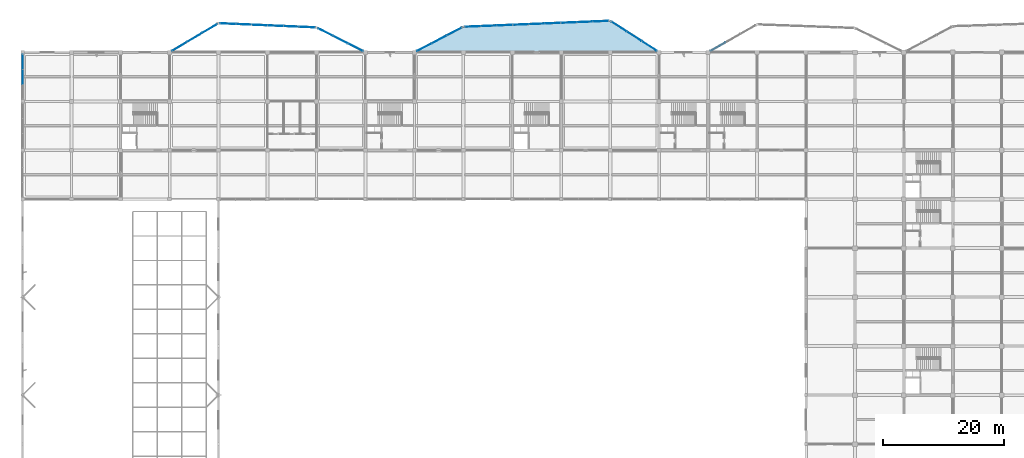
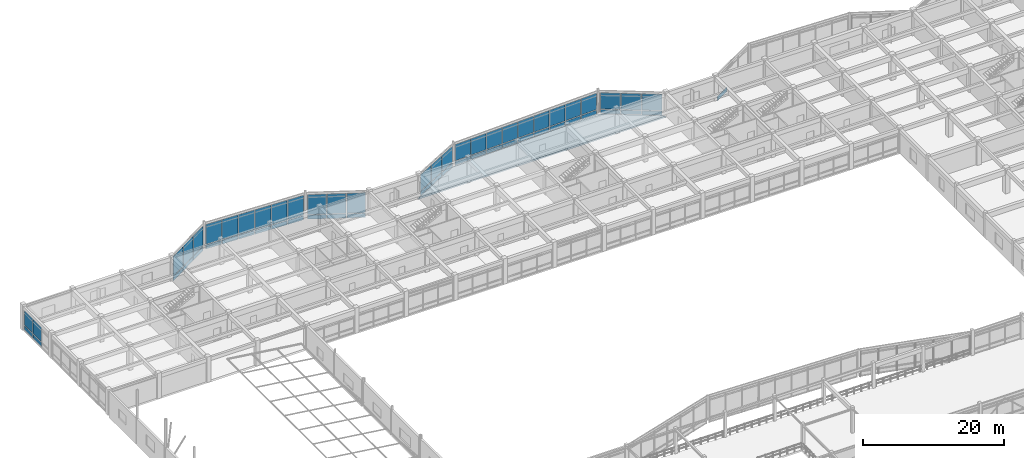
# One storey, part 57 of 89: 59 plates, 1 slab, 11 elements without a shape of their own.
"""IFC4 building model written with IfcOpenShell, lengths in metres."""

from ifc_helpers import new_model, si_unit, direction, frame, origin, origin_2d, place, context, subcontext, project, spatial, polyline, rectangle, outline, extrude, material, layer, layer_set, type_object, element, aggregate, save


model = new_model("IFC4")

# Units and contexts
model_context = context("Model", 3, precision=1e-05, world=origin(), true_north=direction((0.0, 1.0)))
body_context = subcontext(model_context, "Body", "Model", "MODEL_VIEW")
ifc_project = project(units=[si_unit("LENGTHUNIT", "METRE"), si_unit("AREAUNIT", "SQUARE_METRE"), si_unit("VOLUMEUNIT", "CUBIC_METRE"), si_unit("PLANEANGLEUNIT", "RADIAN"), si_unit("MASSUNIT", "GRAM", prefix="KILO")], contexts=[model_context])

# Site, building, storey
site_placement = place(None, origin())
site = spatial("IfcSite", under=ifc_project, at=site_placement, CompositionType="ELEMENT")
building_placement = place(site_placement, origin())
building = spatial("IfcBuilding", under=site, at=building_placement, Name="Vaudrelin Polytechnic", CompositionType="ELEMENT")
storey_placement = place(building_placement, frame((0.0, 0.0, 9.68994140625)))
storey = spatial("IfcBuildingStorey", under=building, at=storey_placement, Name="L02", CompositionType="ELEMENT", Elevation=9.68994140625)

# Curtain wall, plates
ifc_material_1 = material(Name="Thermally broken anodised aluminium AA 6063-T6 and low-e triple glazing", Category="aluminium")
ifc_layer_1 = layer(ifc_material_1, 0.199951171875)
ifc_layer_set_1 = layer_set([ifc_layer_1], Name="Thermally broken anodised aluminium AA 6063-T6 and low-e triple glazing")
curtain_wall_type_1 = type_object("IfcCurtainWallType", Name="CW-CW-LIB", PredefinedType="USERDEFINED", material=ifc_layer_set_1)
curtain_wall_1_placement = place(storey_placement, origin())
curtain_wall_1 = element("IfcCurtainWall", 1, at=curtain_wall_1_placement, inside=storey, type_object=curtain_wall_type_1, Name="Curtain wall L02 W_V5_02", ObjectType="CURTAIN WALL", PredefinedType="USERDEFINED")
ifc_material_2 = material(Name="Insulated ceramic-frit spandrel glass panel", Category="glass")
ifc_layer_2 = layer(ifc_material_2, 0.052001953125)
ifc_layer_set_2 = layer_set([ifc_layer_2], Name="Insulated ceramic-frit spandrel glass panel")
plate_type_1 = type_object("IfcPlateType", Name="PLT-GLZ-SPAND", PredefinedType="CURTAIN_PANEL", material=ifc_layer_set_2)
plate_1_placement = place(storey_placement, frame((0.0, 117.449951171875, 0.08984375), z_axis=(0.0, 0.0, 1.0), x_axis=(0.0, 1.0, 0.0)))
plate_1 = element("IfcPlate", 2, at=plate_1_placement, type_object=plate_type_1, Name="W_V5_02 spandrel panel 2", PredefinedType="CURTAIN_PANEL", context=body_context, shape_type="SweptSolid", body=[
    extrude(rectangle(XDim=2.384765625, YDim=0.052001953125, at=origin_2d()), origin(), (0.0, 0.0, 1.0), 0.699951171875),
])
plate_2_placement = place(storey_placement, frame((0.0, 119.934814453125, 0.08984375), z_axis=(0.0, 0.0, 1.0), x_axis=(0.0, 1.0, 0.0)))
plate_2 = element("IfcPlate", 3, at=plate_2_placement, type_object=plate_type_1, Name="W_V5_02 spandrel panel 3", PredefinedType="CURTAIN_PANEL", context=body_context, shape_type="SweptSolid", body=[
    extrude(rectangle(XDim=2.384765625, YDim=0.052001953125, at=origin_2d()), origin(), (0.0, 0.0, 1.0), 0.699951171875),
])

ifc_layer_3 = layer(ifc_material_1, 0.199951171875)
ifc_layer_set_3 = layer_set([ifc_layer_3], Name="Thermally broken anodised aluminium AA 6063-T6 and low-e triple glazing")
curtain_wall_type_2 = type_object("IfcCurtainWallType", Name="CW-CW-STU", PredefinedType="USERDEFINED", material=ifc_layer_set_3)
curtain_wall_2_placement = place(storey_placement, origin())
curtain_wall_2 = element("IfcCurtainWall", 4, at=curtain_wall_2_placement, inside=storey, type_object=curtain_wall_type_2, Name="Curtain wall L02 N_OR1_1_0", ObjectType="CURTAIN WALL", PredefinedType="USERDEFINED")
plate_3_placement = place(storey_placement, frame((25.944091796875, 122.474365234375, -0.5400390625), z_axis=(0.0, 0.0, 1.0), x_axis=(0.860291533635, 0.509802390301, 0.0)))
plate_3 = element("IfcPlate", 5, at=plate_3_placement, type_object=plate_type_1, Name="N_OR1_1_0 spandrel panel 1", PredefinedType="CURTAIN_PANEL", context=body_context, shape_type="SweptSolid", body=[
    extrude(rectangle(XDim=2.796875, YDim=0.052001953125, at=origin_2d()), origin(), (0.0, 0.0, 1.0), 0.699951171875),
])
plate_4_placement = place(storey_placement, frame((28.436279296875, 123.951171875, -0.5400390625), z_axis=(0.0, 0.0, 1.0), x_axis=(0.860291533635, 0.509802390301, 0.0)))
plate_4 = element("IfcPlate", 6, at=plate_4_placement, type_object=plate_type_1, Name="N_OR1_1_0 spandrel panel 2", PredefinedType="CURTAIN_PANEL", context=body_context, shape_type="SweptSolid", body=[
    extrude(rectangle(XDim=2.796875, YDim=0.052001953125, at=origin_2d()), origin(), (0.0, 0.0, 1.0), 0.699951171875),
])
plate_5_placement = place(storey_placement, frame((30.92822265625, 125.427978515625, -0.5400390625), z_axis=(0.0, 0.0, 1.0), x_axis=(0.860291533635, 0.509802390301, 0.0)))
plate_5 = element("IfcPlate", 7, at=plate_5_placement, type_object=plate_type_1, Name="N_OR1_1_0 spandrel panel 3", PredefinedType="CURTAIN_PANEL", context=body_context, shape_type="SweptSolid", body=[
    extrude(rectangle(XDim=2.796875, YDim=0.052001953125, at=origin_2d()), origin(), (0.0, 0.0, 1.0), 0.699951171875),
])

curtain_wall_3_placement = place(storey_placement, origin())
curtain_wall_3 = element("IfcCurtainWall", 8, at=curtain_wall_3_placement, inside=storey, type_object=curtain_wall_type_2, Name="Curtain wall L02 N_OR1_2_0", ObjectType="CURTAIN WALL", PredefinedType="USERDEFINED")
plate_6_placement = place(storey_placement, frame((33.94775390625, 126.233154296875, -0.5400390625), z_axis=(0.0, 0.0, 1.0), x_axis=(0.99906798854, -0.043164270821, 0.0)))
plate_6 = element("IfcPlate", 9, at=plate_6_placement, type_object=plate_type_1, Name="N_OR1_2_0 spandrel panel 1", PredefinedType="CURTAIN_PANEL", context=body_context, shape_type="SweptSolid", body=[
    extrude(rectangle(XDim=2.523193359375, YDim=0.052001953125, at=origin_2d()), origin(), (0.0, 0.0, 1.0), 0.699951171875),
])
plate_7_placement = place(storey_placement, frame((36.568603515625, 126.119873046875, -0.5400390625), z_axis=(0.0, 0.0, 1.0), x_axis=(0.99906798854, -0.043164270821, 0.0)))
plate_7 = element("IfcPlate", 10, at=plate_7_placement, type_object=plate_type_1, Name="N_OR1_2_0 spandrel panel 2", PredefinedType="CURTAIN_PANEL", context=body_context, shape_type="SweptSolid", body=[
    extrude(rectangle(XDim=2.523193359375, YDim=0.052001953125, at=origin_2d()), origin(), (0.0, 0.0, 1.0), 0.699951171875),
])
plate_8_placement = place(storey_placement, frame((39.189697265625, 126.006591796875, -0.5400390625), z_axis=(0.0, 0.0, 1.0), x_axis=(0.99906798854, -0.043164270821, 0.0)))
plate_8 = element("IfcPlate", 11, at=plate_8_placement, type_object=plate_type_1, Name="N_OR1_2_0 spandrel panel 3", PredefinedType="CURTAIN_PANEL", context=body_context, shape_type="SweptSolid", body=[
    extrude(rectangle(XDim=2.523193359375, YDim=0.052001953125, at=origin_2d()), origin(), (0.0, 0.0, 1.0), 0.699951171875),
])

curtain_wall_4_placement = place(storey_placement, origin())
curtain_wall_4 = element("IfcCurtainWall", 12, at=curtain_wall_4_placement, inside=storey, type_object=curtain_wall_type_2, Name="Curtain wall L02 N_OR1_2_1", ObjectType="CURTAIN WALL", PredefinedType="USERDEFINED")
plate_9_placement = place(storey_placement, frame((41.810302734375, 125.893310546875, -0.5400390625), z_axis=(0.0, 0.0, 1.0), x_axis=(0.99906798854, -0.043164270821, 0.0)))
plate_9 = element("IfcPlate", 13, at=plate_9_placement, type_object=plate_type_1, Name="N_OR1_2_1 spandrel panel 1", PredefinedType="CURTAIN_PANEL", context=body_context, shape_type="SweptSolid", body=[
    extrude(rectangle(XDim=2.523193359375, YDim=0.052001953125, at=origin_2d()), origin(), (0.0, 0.0, 1.0), 0.699951171875),
])
plate_10_placement = place(storey_placement, frame((44.431396484375, 125.780029296875, -0.5400390625), z_axis=(0.0, 0.0, 1.0), x_axis=(0.99906798854, -0.043164270821, 0.0)))
plate_10 = element("IfcPlate", 14, at=plate_10_placement, type_object=plate_type_1, Name="N_OR1_2_1 spandrel panel 2", PredefinedType="CURTAIN_PANEL", context=body_context, shape_type="SweptSolid", body=[
    extrude(rectangle(XDim=2.523193359375, YDim=0.052001953125, at=origin_2d()), origin(), (0.0, 0.0, 1.0), 0.699951171875),
])
plate_11_placement = place(storey_placement, frame((47.05224609375, 125.6669921875, -0.5400390625), z_axis=(0.0, 0.0, 1.0), x_axis=(0.99906798854, -0.043164270821, 0.0)))
plate_11 = element("IfcPlate", 15, at=plate_11_placement, type_object=plate_type_1, Name="N_OR1_2_1 spandrel panel 3", PredefinedType="CURTAIN_PANEL", context=body_context, shape_type="SweptSolid", body=[
    extrude(rectangle(XDim=2.523193359375, YDim=0.052001953125, at=origin_2d()), origin(), (0.0, 0.0, 1.0), 0.699951171875),
])

curtain_wall_5_placement = place(storey_placement, origin())
curtain_wall_5 = element("IfcCurtainWall", 16, at=curtain_wall_5_placement, inside=storey, type_object=curtain_wall_type_2, Name="Curtain wall L02 N_OR1_3_0", ObjectType="CURTAIN WALL", PredefinedType="USERDEFINED")
plate_12_placement = place(storey_placement, frame((50.073486328125, 124.85400390625, -0.5400390625), z_axis=(0.0, 0.0, 1.0), x_axis=(0.892216550993, -0.451607823375, 0.0)))
plate_12 = element("IfcPlate", 17, at=plate_12_placement, type_object=plate_type_1, Name="N_OR1_3_0 spandrel panel 1", PredefinedType="CURTAIN_PANEL", context=body_context, shape_type="SweptSolid", body=[
    extrude(rectangle(XDim=2.691162109375, YDim=0.052001953125, at=origin_2d()), origin(), (0.0, 0.0, 1.0), 0.699951171875),
])
plate_13_placement = place(storey_placement, frame((52.563720703125, 123.593505859375, -0.5400390625), z_axis=(0.0, 0.0, 1.0), x_axis=(0.892216550993, -0.451607823375, 0.0)))
plate_13 = element("IfcPlate", 18, at=plate_13_placement, type_object=plate_type_1, Name="N_OR1_3_0 spandrel panel 2", PredefinedType="CURTAIN_PANEL", context=body_context, shape_type="SweptSolid", body=[
    extrude(rectangle(XDim=2.691162109375, YDim=0.052001953125, at=origin_2d()), origin(), (0.0, 0.0, 1.0), 0.699951171875),
])
plate_14_placement = place(storey_placement, frame((55.053955078125, 122.333251953125, -0.5400390625), z_axis=(0.0, 0.0, 1.0), x_axis=(0.892216550993, -0.451607823375, 0.0)))
plate_14 = element("IfcPlate", 19, at=plate_14_placement, type_object=plate_type_1, Name="N_OR1_3_0 spandrel panel 3", PredefinedType="CURTAIN_PANEL", context=body_context, shape_type="SweptSolid", body=[
    extrude(rectangle(XDim=2.691162109375, YDim=0.052001953125, at=origin_2d()), origin(), (0.0, 0.0, 1.0), 0.699951171875),
])

curtain_wall_6_placement = place(storey_placement, origin())
curtain_wall_6 = element("IfcCurtainWall", 20, at=curtain_wall_6_placement, inside=storey, type_object=curtain_wall_type_2, Name="Curtain wall L02 N_OR2_1_0", ObjectType="CURTAIN WALL", PredefinedType="USERDEFINED")
plate_15_placement = place(storey_placement, frame((66.44580078125, 122.353271484375, 0.08984375), z_axis=(0.0, 0.0, 1.0), x_axis=(0.88775021542, 0.460325488129, 0.0)))
plate_15 = element("IfcPlate", 21, at=plate_15_placement, type_object=plate_type_1, Name="N_OR2_1_0 spandrel panel 1", PredefinedType="CURTAIN_PANEL", context=body_context, shape_type="SweptSolid", body=[
    extrude(rectangle(XDim=2.705322265625, YDim=0.052001953125, at=origin_2d()), origin(), (0.0, 0.0, 1.0), 0.699951171875),
])
plate_16_placement = place(storey_placement, frame((68.936279296875, 123.644775390625, 0.08984375), z_axis=(0.0, 0.0, 1.0), x_axis=(0.88775021542, 0.460325488129, 0.0)))
plate_16 = element("IfcPlate", 22, at=plate_16_placement, type_object=plate_type_1, Name="N_OR2_1_0 spandrel panel 2", PredefinedType="CURTAIN_PANEL", context=body_context, shape_type="SweptSolid", body=[
    extrude(rectangle(XDim=2.705322265625, YDim=0.052001953125, at=origin_2d()), origin(), (0.0, 0.0, 1.0), 0.699951171875),
])
plate_17_placement = place(storey_placement, frame((71.4267578125, 124.93603515625, 0.08984375), z_axis=(0.0, 0.0, 1.0), x_axis=(0.88775021542, 0.460325488129, 0.0)))
plate_17 = element("IfcPlate", 23, at=plate_17_placement, type_object=plate_type_1, Name="N_OR2_1_0 spandrel panel 3", PredefinedType="CURTAIN_PANEL", context=body_context, shape_type="SweptSolid", body=[
    extrude(rectangle(XDim=2.705322265625, YDim=0.052001953125, at=origin_2d()), origin(), (0.0, 0.0, 1.0), 0.699951171875),
])

curtain_wall_7_placement = place(storey_placement, origin())
curtain_wall_7 = element("IfcCurtainWall", 24, at=curtain_wall_7_placement, inside=storey, type_object=curtain_wall_type_2, Name="Curtain wall L02 N_OR2_2_0", ObjectType="CURTAIN WALL", PredefinedType="USERDEFINED")
plate_18_placement = place(storey_placement, frame((74.4609375, 125.764404296875, 0.08984375), z_axis=(0.0, 0.0, 1.0), x_axis=(0.999154417424, 0.041115084128, 0.0)))
plate_18 = element("IfcPlate", 25, at=plate_18_placement, type_object=plate_type_1, Name="N_OR2_2_0 spandrel panel 1", PredefinedType="CURTAIN_PANEL", context=body_context, shape_type="SweptSolid", body=[
    extrude(rectangle(XDim=2.549560546875, YDim=0.052001953125, at=origin_2d()), origin(), (0.0, 0.0, 1.0), 0.699951171875),
])
plate_19_placement = place(storey_placement, frame((77.108154296875, 125.873291015625, 0.08984375), z_axis=(0.0, 0.0, 1.0), x_axis=(0.999154417424, 0.041115084128, 0.0)))
plate_19 = element("IfcPlate", 26, at=plate_19_placement, type_object=plate_type_1, Name="N_OR2_2_0 spandrel panel 2", PredefinedType="CURTAIN_PANEL", context=body_context, shape_type="SweptSolid", body=[
    extrude(rectangle(XDim=2.549560546875, YDim=0.052001953125, at=origin_2d()), origin(), (0.0, 0.0, 1.0), 0.699951171875),
])
plate_20_placement = place(storey_placement, frame((79.755615234375, 125.982177734375, 0.08984375), z_axis=(0.0, 0.0, 1.0), x_axis=(0.999154417424, 0.041115084128, 0.0)))
plate_20 = element("IfcPlate", 27, at=plate_20_placement, type_object=plate_type_1, Name="N_OR2_2_0 spandrel panel 3", PredefinedType="CURTAIN_PANEL", context=body_context, shape_type="SweptSolid", body=[
    extrude(rectangle(XDim=2.549560546875, YDim=0.052001953125, at=origin_2d()), origin(), (0.0, 0.0, 1.0), 0.699951171875),
])

curtain_wall_8_placement = place(storey_placement, origin())
curtain_wall_8 = element("IfcCurtainWall", 28, at=curtain_wall_8_placement, inside=storey, type_object=curtain_wall_type_2, Name="Curtain wall L02 N_OR2_2_1", ObjectType="CURTAIN WALL", PredefinedType="USERDEFINED")
plate_21_placement = place(storey_placement, frame((82.402587890625, 126.091064453125, 0.08984375), z_axis=(0.0, 0.0, 1.0), x_axis=(0.999154438691, 0.041114567302, 0.0)))
plate_21 = element("IfcPlate", 29, at=plate_21_placement, type_object=plate_type_1, Name="N_OR2_2_1 spandrel panel 1", PredefinedType="CURTAIN_PANEL", context=body_context, shape_type="SweptSolid", body=[
    extrude(rectangle(XDim=2.549560546875, YDim=0.052001953125, at=origin_2d()), origin(), (0.0, 0.0, 1.0), 0.699951171875),
])
plate_22_placement = place(storey_placement, frame((85.050048828125, 126.199951171875, 0.08984375), z_axis=(0.0, 0.0, 1.0), x_axis=(0.999154438691, 0.041114567302, 0.0)))
plate_22 = element("IfcPlate", 30, at=plate_22_placement, type_object=plate_type_1, Name="N_OR2_2_1 spandrel panel 2", PredefinedType="CURTAIN_PANEL", context=body_context, shape_type="SweptSolid", body=[
    extrude(rectangle(XDim=2.549560546875, YDim=0.052001953125, at=origin_2d()), origin(), (0.0, 0.0, 1.0), 0.699951171875),
])
plate_23_placement = place(storey_placement, frame((87.697265625, 126.308837890625, 0.08984375), z_axis=(0.0, 0.0, 1.0), x_axis=(0.999154438691, 0.041114567302, 0.0)))
plate_23 = element("IfcPlate", 31, at=plate_23_placement, type_object=plate_type_1, Name="N_OR2_2_1 spandrel panel 3", PredefinedType="CURTAIN_PANEL", context=body_context, shape_type="SweptSolid", body=[
    extrude(rectangle(XDim=2.549560546875, YDim=0.052001953125, at=origin_2d()), origin(), (0.0, 0.0, 1.0), 0.699951171875),
])

curtain_wall_9_placement = place(storey_placement, origin())
curtain_wall_9 = element("IfcCurtainWall", 32, at=curtain_wall_9_placement, inside=storey, type_object=curtain_wall_type_2, Name="Curtain wall L02 N_OR2_2_2", ObjectType="CURTAIN WALL", PredefinedType="USERDEFINED")
plate_24_placement = place(storey_placement, frame((90.344482421875, 126.41796875, 0.08984375), z_axis=(0.0, 0.0, 1.0), x_axis=(0.999154417424, 0.041115084128, 0.0)))
plate_24 = element("IfcPlate", 33, at=plate_24_placement, type_object=plate_type_1, Name="N_OR2_2_2 spandrel panel 1", PredefinedType="CURTAIN_PANEL", context=body_context, shape_type="SweptSolid", body=[
    extrude(rectangle(XDim=2.549560546875, YDim=0.052001953125, at=origin_2d()), origin(), (0.0, 0.0, 1.0), 0.699951171875),
])
plate_25_placement = place(storey_placement, frame((92.99169921875, 126.52685546875, 0.08984375), z_axis=(0.0, 0.0, 1.0), x_axis=(0.999154417424, 0.041115084128, 0.0)))
plate_25 = element("IfcPlate", 34, at=plate_25_placement, type_object=plate_type_1, Name="N_OR2_2_2 spandrel panel 2", PredefinedType="CURTAIN_PANEL", context=body_context, shape_type="SweptSolid", body=[
    extrude(rectangle(XDim=2.549560546875, YDim=0.052001953125, at=origin_2d()), origin(), (0.0, 0.0, 1.0), 0.699951171875),
])
plate_26_placement = place(storey_placement, frame((95.638916015625, 126.6357421875, 0.08984375), z_axis=(0.0, 0.0, 1.0), x_axis=(0.999154417424, 0.041115084128, 0.0)))
plate_26 = element("IfcPlate", 35, at=plate_26_placement, type_object=plate_type_1, Name="N_OR2_2_2 spandrel panel 3", PredefinedType="CURTAIN_PANEL", context=body_context, shape_type="SweptSolid", body=[
    extrude(rectangle(XDim=2.549560546875, YDim=0.052001953125, at=origin_2d()), origin(), (0.0, 0.0, 1.0), 0.699951171875),
])

curtain_wall_10_placement = place(storey_placement, origin())
curtain_wall_10 = element("IfcCurtainWall", 36, at=curtain_wall_10_placement, inside=storey, type_object=curtain_wall_type_2, Name="Curtain wall L02 N_OR2_3_0", ObjectType="CURTAIN WALL", PredefinedType="USERDEFINED")
plate_27_placement = place(storey_placement, frame((98.670654296875, 125.755859375, 0.08984375), z_axis=(0.0, 0.0, 1.0), x_axis=(0.841518641414, -0.540228077901, 0.0)))
plate_27 = element("IfcPlate", 37, at=plate_27_placement, type_object=plate_type_1, Name="N_OR2_3_0 spandrel panel 1", PredefinedType="CURTAIN_PANEL", context=body_context, shape_type="SweptSolid", body=[
    extrude(rectangle(XDim=2.86279296875, YDim=0.052001953125, at=origin_2d()), origin(), (0.0, 0.0, 1.0), 0.699951171875),
])
plate_28_placement = place(storey_placement, frame((101.163818359375, 124.155517578125, 0.08984375), z_axis=(0.0, 0.0, 1.0), x_axis=(0.841518641414, -0.540228077901, 0.0)))
plate_28 = element("IfcPlate", 38, at=plate_28_placement, type_object=plate_type_1, Name="N_OR2_3_0 spandrel panel 2", PredefinedType="CURTAIN_PANEL", context=body_context, shape_type="SweptSolid", body=[
    extrude(rectangle(XDim=2.86279296875, YDim=0.052001953125, at=origin_2d()), origin(), (0.0, 0.0, 1.0), 0.699951171875),
])
plate_29_placement = place(storey_placement, frame((103.656982421875, 122.554931640625, 0.08984375), z_axis=(0.0, 0.0, 1.0), x_axis=(0.841518641414, -0.540228077901, 0.0)))
plate_29 = element("IfcPlate", 39, at=plate_29_placement, type_object=plate_type_1, Name="N_OR2_3_0 spandrel panel 3", PredefinedType="CURTAIN_PANEL", context=body_context, shape_type="SweptSolid", body=[
    extrude(rectangle(XDim=2.86279296875, YDim=0.052001953125, at=origin_2d()), origin(), (0.0, 0.0, 1.0), 0.699951171875),
])

# Curtain wall, plate
curtain_wall_11_placement = place(storey_placement, origin())
curtain_wall_11 = element("IfcCurtainWall", 40, at=curtain_wall_11_placement, inside=storey, type_object=curtain_wall_type_2, Name="Curtain wall L02 N_OR3_1_0", ObjectType="CURTAIN WALL", PredefinedType="USERDEFINED")
plate_30_placement = place(storey_placement, frame((115.044677734375, 122.43408203125, -0.5400390625), z_axis=(0.0, 0.0, 1.0), x_axis=(0.869560902345, 0.493825715322, 0.0)))
plate_30 = element("IfcPlate", 41, at=plate_30_placement, type_object=plate_type_1, Name="N_OR3_1_0 spandrel panel 1", PredefinedType="CURTAIN_PANEL", context=body_context, shape_type="SweptSolid", body=[
    extrude(rectangle(XDim=2.765380859375, YDim=0.052001953125, at=origin_2d()), origin(), (0.0, 0.0, 1.0), 0.699951171875),
])
aggregate(curtain_wall_11, [plate_30])

# Plate
ifc_material_3 = material(Name="Triple low-e argon insulated glazing unit", Category="glass")
ifc_layer_4 = layer(ifc_material_3, 0.0439453125)
ifc_layer_set_4 = layer_set([ifc_layer_4], Name="Triple low-e argon insulated glazing unit")
plate_type_2 = type_object("IfcPlateType", Name="PLT-GLZ-TRIPLE", PredefinedType="CURTAIN_PANEL", material=ifc_layer_set_4)
plate_31_placement = place(storey_placement, frame((0.0, 117.449951171875, 0.900146484375), z_axis=(0.0, 0.0, 1.0), x_axis=(0.0, 1.0, 0.0)))
plate_31 = element("IfcPlate", 42, at=plate_31_placement, type_object=plate_type_2, Name="W_V5_02 vision panel 2", PredefinedType="CURTAIN_PANEL", context=body_context, shape_type="SweptSolid", body=[
    extrude(rectangle(XDim=2.384765625, YDim=0.0439453125, at=origin_2d()), origin(), (0.0, 0.0, 1.0), 2.48193359375),
])

plate_32_placement = place(storey_placement, frame((0.0, 119.934814453125, 0.900146484375), z_axis=(0.0, 0.0, 1.0), x_axis=(0.0, 1.0, 0.0)))
plate_32 = element("IfcPlate", 43, at=plate_32_placement, type_object=plate_type_2, Name="W_V5_02 vision panel 3", PredefinedType="CURTAIN_PANEL", context=body_context, shape_type="SweptSolid", body=[
    extrude(rectangle(XDim=2.384765625, YDim=0.0439453125, at=origin_2d()), origin(), (0.0, 0.0, 1.0), 2.48193359375),
])

aggregate(curtain_wall_1, [plate_1, plate_31, plate_2, plate_32])

plate_33_placement = place(storey_placement, frame((25.944091796875, 122.474365234375, 0.27001953125), z_axis=(0.0, 0.0, 1.0), x_axis=(0.860291533635, 0.509802390301, 0.0)))
plate_33 = element("IfcPlate", 44, at=plate_33_placement, type_object=plate_type_2, Name="N_OR1_1_0 vision panel 1", PredefinedType="CURTAIN_PANEL", context=body_context, shape_type="SweptSolid", body=[
    extrude(rectangle(XDim=2.796875, YDim=0.0439453125, at=origin_2d()), origin(), (0.0, 0.0, 1.0), 3.43994140625),
])

plate_34_placement = place(storey_placement, frame((28.436279296875, 123.951171875, 0.27001953125), z_axis=(0.0, 0.0, 1.0), x_axis=(0.860291533635, 0.509802390301, 0.0)))
plate_34 = element("IfcPlate", 45, at=plate_34_placement, type_object=plate_type_2, Name="N_OR1_1_0 vision panel 2", PredefinedType="CURTAIN_PANEL", context=body_context, shape_type="SweptSolid", body=[
    extrude(rectangle(XDim=2.796875, YDim=0.0439453125, at=origin_2d()), origin(), (0.0, 0.0, 1.0), 3.43994140625),
])

plate_35_placement = place(storey_placement, frame((30.92822265625, 125.427978515625, 0.27001953125), z_axis=(0.0, 0.0, 1.0), x_axis=(0.860291533635, 0.509802390301, 0.0)))
plate_35 = element("IfcPlate", 46, at=plate_35_placement, type_object=plate_type_2, Name="N_OR1_1_0 vision panel 3", PredefinedType="CURTAIN_PANEL", context=body_context, shape_type="SweptSolid", body=[
    extrude(rectangle(XDim=2.796875, YDim=0.0439453125, at=origin_2d()), origin(), (0.0, 0.0, 1.0), 3.43994140625),
])

aggregate(curtain_wall_2, [plate_3, plate_33, plate_4, plate_34, plate_5, plate_35])

plate_36_placement = place(storey_placement, frame((33.94775390625, 126.233154296875, 0.27001953125), z_axis=(0.0, 0.0, 1.0), x_axis=(0.99906798854, -0.043164270821, 0.0)))
plate_36 = element("IfcPlate", 47, at=plate_36_placement, type_object=plate_type_2, Name="N_OR1_2_0 vision panel 1", PredefinedType="CURTAIN_PANEL", context=body_context, shape_type="SweptSolid", body=[
    extrude(rectangle(XDim=2.523193359375, YDim=0.0439453125, at=origin_2d()), origin(), (0.0, 0.0, 1.0), 3.43994140625),
])

plate_37_placement = place(storey_placement, frame((36.568603515625, 126.119873046875, 0.27001953125), z_axis=(0.0, 0.0, 1.0), x_axis=(0.99906798854, -0.043164270821, 0.0)))
plate_37 = element("IfcPlate", 48, at=plate_37_placement, type_object=plate_type_2, Name="N_OR1_2_0 vision panel 2", PredefinedType="CURTAIN_PANEL", context=body_context, shape_type="SweptSolid", body=[
    extrude(rectangle(XDim=2.523193359375, YDim=0.0439453125, at=origin_2d()), origin(), (0.0, 0.0, 1.0), 3.43994140625),
])

plate_38_placement = place(storey_placement, frame((39.189697265625, 126.006591796875, 0.27001953125), z_axis=(0.0, 0.0, 1.0), x_axis=(0.99906798854, -0.043164270821, 0.0)))
plate_38 = element("IfcPlate", 49, at=plate_38_placement, type_object=plate_type_2, Name="N_OR1_2_0 vision panel 3", PredefinedType="CURTAIN_PANEL", context=body_context, shape_type="SweptSolid", body=[
    extrude(rectangle(XDim=2.523193359375, YDim=0.0439453125, at=origin_2d()), origin(), (0.0, 0.0, 1.0), 3.43994140625),
])

aggregate(curtain_wall_3, [plate_6, plate_36, plate_7, plate_37, plate_8, plate_38])

plate_39_placement = place(storey_placement, frame((41.810302734375, 125.893310546875, 0.27001953125), z_axis=(0.0, 0.0, 1.0), x_axis=(0.99906798854, -0.043164270821, 0.0)))
plate_39 = element("IfcPlate", 50, at=plate_39_placement, type_object=plate_type_2, Name="N_OR1_2_1 vision panel 1", PredefinedType="CURTAIN_PANEL", context=body_context, shape_type="SweptSolid", body=[
    extrude(rectangle(XDim=2.523193359375, YDim=0.0439453125, at=origin_2d()), origin(), (0.0, 0.0, 1.0), 3.43994140625),
])

plate_40_placement = place(storey_placement, frame((44.431396484375, 125.780029296875, 0.27001953125), z_axis=(0.0, 0.0, 1.0), x_axis=(0.99906798854, -0.043164270821, 0.0)))
plate_40 = element("IfcPlate", 51, at=plate_40_placement, type_object=plate_type_2, Name="N_OR1_2_1 vision panel 2", PredefinedType="CURTAIN_PANEL", context=body_context, shape_type="SweptSolid", body=[
    extrude(rectangle(XDim=2.523193359375, YDim=0.0439453125, at=origin_2d()), origin(), (0.0, 0.0, 1.0), 3.43994140625),
])

plate_41_placement = place(storey_placement, frame((47.05224609375, 125.6669921875, 0.27001953125), z_axis=(0.0, 0.0, 1.0), x_axis=(0.99906798854, -0.043164270821, 0.0)))
plate_41 = element("IfcPlate", 52, at=plate_41_placement, type_object=plate_type_2, Name="N_OR1_2_1 vision panel 3", PredefinedType="CURTAIN_PANEL", context=body_context, shape_type="SweptSolid", body=[
    extrude(rectangle(XDim=2.523193359375, YDim=0.0439453125, at=origin_2d()), origin(), (0.0, 0.0, 1.0), 3.43994140625),
])

aggregate(curtain_wall_4, [plate_9, plate_39, plate_10, plate_40, plate_11, plate_41])

plate_42_placement = place(storey_placement, frame((50.073486328125, 124.85400390625, 0.27001953125), z_axis=(0.0, 0.0, 1.0), x_axis=(0.892216550993, -0.451607823375, 0.0)))
plate_42 = element("IfcPlate", 53, at=plate_42_placement, type_object=plate_type_2, Name="N_OR1_3_0 vision panel 1", PredefinedType="CURTAIN_PANEL", context=body_context, shape_type="SweptSolid", body=[
    extrude(rectangle(XDim=2.691162109375, YDim=0.0439453125, at=origin_2d()), origin(), (0.0, 0.0, 1.0), 3.43994140625),
])

plate_43_placement = place(storey_placement, frame((52.563720703125, 123.593505859375, 0.27001953125), z_axis=(0.0, 0.0, 1.0), x_axis=(0.892216550993, -0.451607823375, 0.0)))
plate_43 = element("IfcPlate", 54, at=plate_43_placement, type_object=plate_type_2, Name="N_OR1_3_0 vision panel 2", PredefinedType="CURTAIN_PANEL", context=body_context, shape_type="SweptSolid", body=[
    extrude(rectangle(XDim=2.691162109375, YDim=0.0439453125, at=origin_2d()), origin(), (0.0, 0.0, 1.0), 3.43994140625),
])

plate_44_placement = place(storey_placement, frame((55.053955078125, 122.333251953125, 0.27001953125), z_axis=(0.0, 0.0, 1.0), x_axis=(0.892216550993, -0.451607823375, 0.0)))
plate_44 = element("IfcPlate", 55, at=plate_44_placement, type_object=plate_type_2, Name="N_OR1_3_0 vision panel 3", PredefinedType="CURTAIN_PANEL", context=body_context, shape_type="SweptSolid", body=[
    extrude(rectangle(XDim=2.691162109375, YDim=0.0439453125, at=origin_2d()), origin(), (0.0, 0.0, 1.0), 3.43994140625),
])

aggregate(curtain_wall_5, [plate_12, plate_42, plate_13, plate_43, plate_14, plate_44])

plate_45_placement = place(storey_placement, frame((66.44580078125, 122.353271484375, 0.900146484375), z_axis=(0.0, 0.0, 1.0), x_axis=(0.88775021542, 0.460325488129, 0.0)))
plate_45 = element("IfcPlate", 56, at=plate_45_placement, type_object=plate_type_2, Name="N_OR2_1_0 vision panel 1", PredefinedType="CURTAIN_PANEL", context=body_context, shape_type="SweptSolid", body=[
    extrude(rectangle(XDim=2.705322265625, YDim=0.0439453125, at=origin_2d()), origin(), (0.0, 0.0, 1.0), 2.81005859375),
])

plate_46_placement = place(storey_placement, frame((68.936279296875, 123.644775390625, 0.900146484375), z_axis=(0.0, 0.0, 1.0), x_axis=(0.88775021542, 0.460325488129, 0.0)))
plate_46 = element("IfcPlate", 57, at=plate_46_placement, type_object=plate_type_2, Name="N_OR2_1_0 vision panel 2", PredefinedType="CURTAIN_PANEL", context=body_context, shape_type="SweptSolid", body=[
    extrude(rectangle(XDim=2.705322265625, YDim=0.0439453125, at=origin_2d()), origin(), (0.0, 0.0, 1.0), 2.81005859375),
])

plate_47_placement = place(storey_placement, frame((71.4267578125, 124.93603515625, 0.900146484375), z_axis=(0.0, 0.0, 1.0), x_axis=(0.88775021542, 0.460325488129, 0.0)))
plate_47 = element("IfcPlate", 58, at=plate_47_placement, type_object=plate_type_2, Name="N_OR2_1_0 vision panel 3", PredefinedType="CURTAIN_PANEL", context=body_context, shape_type="SweptSolid", body=[
    extrude(rectangle(XDim=2.705322265625, YDim=0.0439453125, at=origin_2d()), origin(), (0.0, 0.0, 1.0), 2.81005859375),
])

aggregate(curtain_wall_6, [plate_15, plate_45, plate_16, plate_46, plate_17, plate_47])

plate_48_placement = place(storey_placement, frame((74.4609375, 125.764404296875, 0.900146484375), z_axis=(0.0, 0.0, 1.0), x_axis=(0.999154417424, 0.041115084128, 0.0)))
plate_48 = element("IfcPlate", 59, at=plate_48_placement, type_object=plate_type_2, Name="N_OR2_2_0 vision panel 1", PredefinedType="CURTAIN_PANEL", context=body_context, shape_type="SweptSolid", body=[
    extrude(rectangle(XDim=2.549560546875, YDim=0.0439453125, at=origin_2d()), origin(), (0.0, 0.0, 1.0), 2.81005859375),
])

plate_49_placement = place(storey_placement, frame((77.108154296875, 125.873291015625, 0.900146484375), z_axis=(0.0, 0.0, 1.0), x_axis=(0.999154417424, 0.041115084128, 0.0)))
plate_49 = element("IfcPlate", 60, at=plate_49_placement, type_object=plate_type_2, Name="N_OR2_2_0 vision panel 2", PredefinedType="CURTAIN_PANEL", context=body_context, shape_type="SweptSolid", body=[
    extrude(rectangle(XDim=2.549560546875, YDim=0.0439453125, at=origin_2d()), origin(), (0.0, 0.0, 1.0), 2.81005859375),
])

plate_50_placement = place(storey_placement, frame((79.755615234375, 125.982177734375, 0.900146484375), z_axis=(0.0, 0.0, 1.0), x_axis=(0.999154417424, 0.041115084128, 0.0)))
plate_50 = element("IfcPlate", 61, at=plate_50_placement, type_object=plate_type_2, Name="N_OR2_2_0 vision panel 3", PredefinedType="CURTAIN_PANEL", context=body_context, shape_type="SweptSolid", body=[
    extrude(rectangle(XDim=2.549560546875, YDim=0.0439453125, at=origin_2d()), origin(), (0.0, 0.0, 1.0), 2.81005859375),
])

aggregate(curtain_wall_7, [plate_18, plate_48, plate_19, plate_49, plate_20, plate_50])

plate_51_placement = place(storey_placement, frame((82.402587890625, 126.091064453125, 0.900146484375), z_axis=(0.0, 0.0, 1.0), x_axis=(0.999154438691, 0.041114567302, 0.0)))
plate_51 = element("IfcPlate", 62, at=plate_51_placement, type_object=plate_type_2, Name="N_OR2_2_1 vision panel 1", PredefinedType="CURTAIN_PANEL", context=body_context, shape_type="SweptSolid", body=[
    extrude(rectangle(XDim=2.549560546875, YDim=0.0439453125, at=origin_2d()), origin(), (0.0, 0.0, 1.0), 2.81005859375),
])

plate_52_placement = place(storey_placement, frame((85.050048828125, 126.199951171875, 0.900146484375), z_axis=(0.0, 0.0, 1.0), x_axis=(0.999154438691, 0.041114567302, 0.0)))
plate_52 = element("IfcPlate", 63, at=plate_52_placement, type_object=plate_type_2, Name="N_OR2_2_1 vision panel 2", PredefinedType="CURTAIN_PANEL", context=body_context, shape_type="SweptSolid", body=[
    extrude(rectangle(XDim=2.549560546875, YDim=0.0439453125, at=origin_2d()), origin(), (0.0, 0.0, 1.0), 2.81005859375),
])

plate_53_placement = place(storey_placement, frame((87.697265625, 126.308837890625, 0.900146484375), z_axis=(0.0, 0.0, 1.0), x_axis=(0.999154438691, 0.041114567302, 0.0)))
plate_53 = element("IfcPlate", 64, at=plate_53_placement, type_object=plate_type_2, Name="N_OR2_2_1 vision panel 3", PredefinedType="CURTAIN_PANEL", context=body_context, shape_type="SweptSolid", body=[
    extrude(rectangle(XDim=2.549560546875, YDim=0.0439453125, at=origin_2d()), origin(), (0.0, 0.0, 1.0), 2.81005859375),
])

aggregate(curtain_wall_8, [plate_21, plate_51, plate_22, plate_52, plate_23, plate_53])

plate_54_placement = place(storey_placement, frame((90.344482421875, 126.41796875, 0.900146484375), z_axis=(0.0, 0.0, 1.0), x_axis=(0.999154417424, 0.041115084128, 0.0)))
plate_54 = element("IfcPlate", 65, at=plate_54_placement, type_object=plate_type_2, Name="N_OR2_2_2 vision panel 1", PredefinedType="CURTAIN_PANEL", context=body_context, shape_type="SweptSolid", body=[
    extrude(rectangle(XDim=2.549560546875, YDim=0.0439453125, at=origin_2d()), origin(), (0.0, 0.0, 1.0), 2.81005859375),
])

plate_55_placement = place(storey_placement, frame((92.99169921875, 126.52685546875, 0.900146484375), z_axis=(0.0, 0.0, 1.0), x_axis=(0.999154417424, 0.041115084128, 0.0)))
plate_55 = element("IfcPlate", 66, at=plate_55_placement, type_object=plate_type_2, Name="N_OR2_2_2 vision panel 2", PredefinedType="CURTAIN_PANEL", context=body_context, shape_type="SweptSolid", body=[
    extrude(rectangle(XDim=2.549560546875, YDim=0.0439453125, at=origin_2d()), origin(), (0.0, 0.0, 1.0), 2.81005859375),
])

plate_56_placement = place(storey_placement, frame((95.638916015625, 126.6357421875, 0.900146484375), z_axis=(0.0, 0.0, 1.0), x_axis=(0.999154417424, 0.041115084128, 0.0)))
plate_56 = element("IfcPlate", 67, at=plate_56_placement, type_object=plate_type_2, Name="N_OR2_2_2 vision panel 3", PredefinedType="CURTAIN_PANEL", context=body_context, shape_type="SweptSolid", body=[
    extrude(rectangle(XDim=2.549560546875, YDim=0.0439453125, at=origin_2d()), origin(), (0.0, 0.0, 1.0), 2.81005859375),
])

aggregate(curtain_wall_9, [plate_24, plate_54, plate_25, plate_55, plate_26, plate_56])

plate_57_placement = place(storey_placement, frame((98.670654296875, 125.755859375, 0.900146484375), z_axis=(0.0, 0.0, 1.0), x_axis=(0.841518641414, -0.540228077901, 0.0)))
plate_57 = element("IfcPlate", 68, at=plate_57_placement, type_object=plate_type_2, Name="N_OR2_3_0 vision panel 1", PredefinedType="CURTAIN_PANEL", context=body_context, shape_type="SweptSolid", body=[
    extrude(rectangle(XDim=2.86279296875, YDim=0.0439453125, at=origin_2d()), origin(), (0.0, 0.0, 1.0), 2.81005859375),
])

plate_58_placement = place(storey_placement, frame((101.163818359375, 124.155517578125, 0.900146484375), z_axis=(0.0, 0.0, 1.0), x_axis=(0.841518641414, -0.540228077901, 0.0)))
plate_58 = element("IfcPlate", 69, at=plate_58_placement, type_object=plate_type_2, Name="N_OR2_3_0 vision panel 2", PredefinedType="CURTAIN_PANEL", context=body_context, shape_type="SweptSolid", body=[
    extrude(rectangle(XDim=2.86279296875, YDim=0.0439453125, at=origin_2d()), origin(), (0.0, 0.0, 1.0), 2.81005859375),
])

plate_59_placement = place(storey_placement, frame((103.656982421875, 122.554931640625, 0.900146484375), z_axis=(0.0, 0.0, 1.0), x_axis=(0.841518641414, -0.540228077901, 0.0)))
plate_59 = element("IfcPlate", 70, at=plate_59_placement, type_object=plate_type_2, Name="N_OR2_3_0 vision panel 3", PredefinedType="CURTAIN_PANEL", context=body_context, shape_type="SweptSolid", body=[
    extrude(rectangle(XDim=2.86279296875, YDim=0.0439453125, at=origin_2d()), origin(), (0.0, 0.0, 1.0), 2.81005859375),
])

aggregate(curtain_wall_10, [plate_27, plate_57, plate_28, plate_58, plate_29, plate_59])

# Slab
ifc_material_4 = material(Name="Concrete 35 MPa", Category="concrete")
ifc_layer_5 = layer(ifc_material_4, 0.280029296875)
ifc_layer_set_5 = layer_set([ifc_layer_5], Name="Concrete 35 MPa")
slab_type = type_object("IfcSlabType", Name="SLB-SL-F280", PredefinedType="FLOOR", material=ifc_layer_set_5)
slab_placement = place(storey_placement, frame((0.0, 0.0, -0.280029296875)))
element("IfcSlab", 71, at=slab_placement, inside=storey, type_object=slab_type, Name="Deconstructivist splayed wing pod N_OR2 L02", PredefinedType="FLOOR", context=body_context, shape_type="SweptSolid", body=[
    extrude(outline(polyline([(64.800048828125, 121.5), (72.89990234375, 125.699951171875), (97.199951171875, 126.699951171875), (105.300048828125, 121.5), (64.800048828125, 121.5)])), origin(), (0.0, 0.0, 1.0), 0.280029296875),
])

save(model, "model.ifc")
